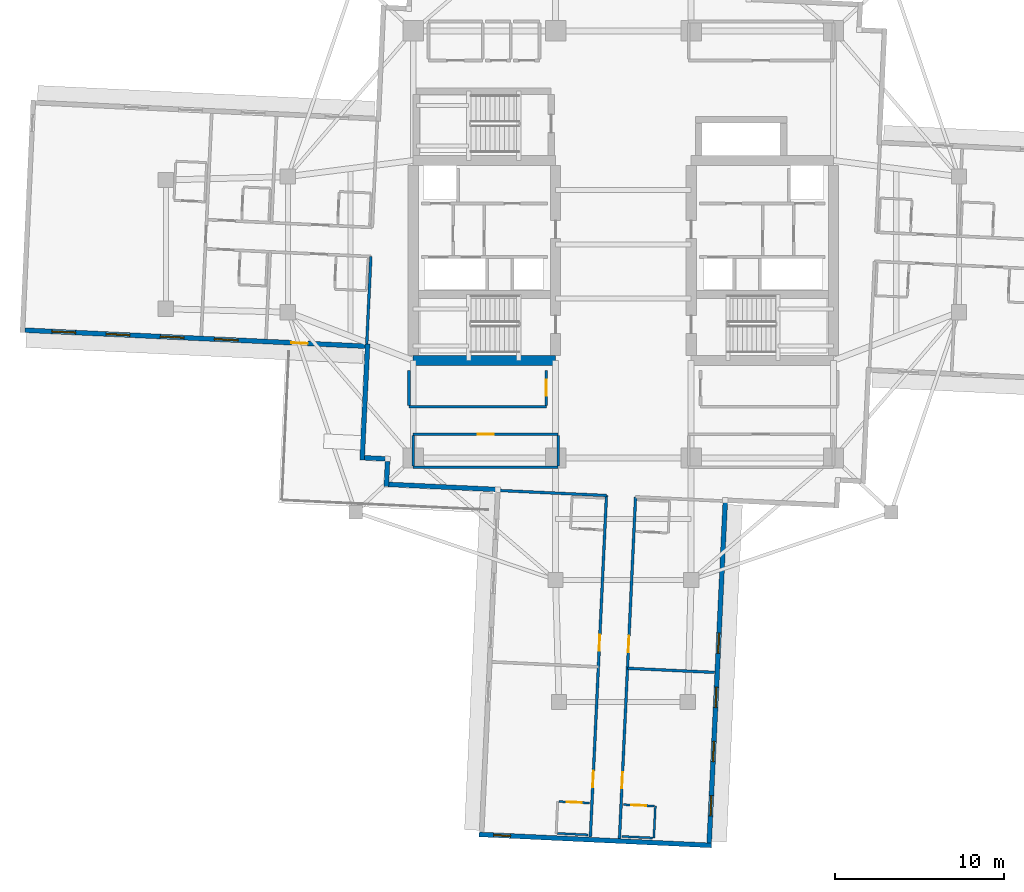
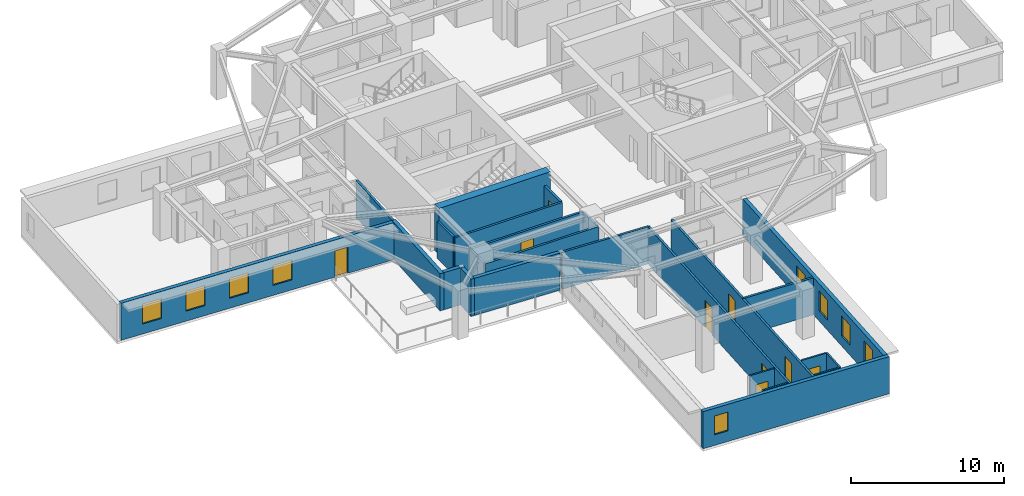
# One storey, part 3 of 14: 25 walls, 9 doors, 9 windows, 18 openings.
"""IFC4 building model written with IfcOpenShell, lengths in metres."""

from ifc_helpers import new_model, si_unit, direction, frame, frame_2d, origin, place, context, subcontext, project, spatial, rectangle, extrude, material, layer, layer_set, type_object, element, fill, save


model = new_model("IFC4")

# Units and contexts
model_context = context("Model", 3, precision=1e-05, world=origin(), true_north=direction((0.0, 1.0)))
body_context = subcontext(model_context, "Body", "Model", "MODEL_VIEW")
ifc_project = project(units=[si_unit("LENGTHUNIT", "METRE"), si_unit("AREAUNIT", "SQUARE_METRE"), si_unit("VOLUMEUNIT", "CUBIC_METRE"), si_unit("PLANEANGLEUNIT", "RADIAN"), si_unit("MASSUNIT", "GRAM", prefix="KILO")], contexts=[model_context])

# Site, building, storey
site_placement = place(None, origin())
site = spatial("IfcSite", under=ifc_project, at=site_placement, CompositionType="ELEMENT")
building_placement = place(site_placement, origin())
building = spatial("IfcBuilding", under=site, at=building_placement, Name="Qingluan Cross Belvedere", CompositionType="ELEMENT")
storey_placement = place(building_placement, frame((0.0, 0.0, 156.60009765625)))
storey = spatial("IfcBuildingStorey", under=building, at=storey_placement, Name="L39", CompositionType="ELEMENT", Elevation=156.60009765625)

# Walls
ifc_material_1 = material(Name="Concrete C60", Category="concrete")
ifc_layer_1 = layer(ifc_material_1, 0.60009765625, Name="CoreShearWall_600")
ifc_layer_set_1 = layer_set([ifc_layer_1], Name="Concrete C60")
wall_type_1 = type_object("IfcWallType", Name="CoreShearWall_600", PredefinedType="SHEAR", material=ifc_layer_set_1)
wall_1_placement = place(storey_placement, frame((-12.39990234375, -6.85009765625, 0.0), z_axis=(0.0, 0.0, 1.0), x_axis=(1.0, 0.0, 0.0)))
element("IfcWall", 1, at=wall_1_placement, inside=storey, type_object=wall_type_1, Name="Split core W shear wall L39-S", PredefinedType="SHEAR", context=body_context, shape_type="SweptSolid", body=[
    extrude(rectangle(XDim=8.39990234375, YDim=0.60009765625, at=frame_2d((4.199951171875, 0.0))), origin(), (0.0, 0.0, 1.0), 3.699951171875),
])
ifc_material_2 = material(Name="Gypsum plasterboard on steel stud acoustic partition", Category="steel")
ifc_layer_2 = layer(ifc_material_2, 0.159912109375, Name="CorridorPartition_160")
ifc_layer_set_2 = layer_set([ifc_layer_2], Name="Gypsum plasterboard on steel stud acoustic partition")
wall_type_2 = type_object("IfcWallType", Name="CorridorPartition_160", PredefinedType="PARTITIONING", material=ifc_layer_set_2)
wall_2_placement = place(storey_placement, frame((-12.39990234375, -13.14990234375, 0.0), z_axis=(0.0, 0.0, 1.0), x_axis=(1.0, 0.0, 0.0)))
element("IfcWall", 2, at=wall_2_placement, inside=storey, type_object=wall_type_2, Name="Partition L39:q_sw:S", PredefinedType="PARTITIONING", context=body_context, shape_type="SweptSolid", body=[
    extrude(rectangle(XDim=8.5498046875, YDim=0.159912109375, at=frame_2d((4.27490234375, 0.0))), origin(), (0.0, 0.0, 1.0), 2.9599609375),
])

# Wall, opening, door
wall_3_placement = place(storey_placement, frame((-12.39990234375, -11.199951171875, 0.0), z_axis=(0.0, 0.0, 1.0), x_axis=(1.0, 0.0, 0.0)))
wall_3 = element("IfcWall", 3, at=wall_3_placement, inside=storey, type_object=wall_type_2, Name="Partition L39:q_sw:N", PredefinedType="PARTITIONING", context=body_context, shape_type="SweptSolid", body=[
    extrude(rectangle(XDim=8.5498046875, YDim=0.159912109375, at=frame_2d((4.27490234375, 0.0))), origin(), (0.0, 0.0, 1.0), 2.9599609375),
])
opening_1_placement = place(wall_3_placement, frame((3.794921875, 0.0, 0.0)))
opening_1 = element("IfcOpeningElement", 4, at=opening_1_placement, cuts=wall_3, Name="Opening GD-10", PredefinedType="OPENING", context=body_context, shape_type="SweptSolid", body=[
    extrude(rectangle(XDim=0.9599609375, YDim=2.14990234375, at=frame_2d((0.47998046875, 1.074951171875))), frame((0.0, 0.08984375, 0.0), z_axis=(0.0, -1.0, 0.0), x_axis=(1.0, 0.0, 0.0)), (0.0, 0.0, 1.0), 0.179931640625),
])
ifc_material_3 = material(Name="Timber oak fire-rated acoustic guestroom door", Category="wood")
door_type_1 = type_object("IfcDoorType", Name="GuestEntryDoor_FD60", OperationType="NOTDEFINED", PredefinedType="DOOR", material=ifc_material_3)
door_1_placement = place(opening_1_placement, origin())
door_1 = element("IfcDoor", 5, at=door_1_placement, inside=storey, type_object=door_type_1, Name="Scholarly study salon L39 door", OperationType="SINGLE_SWING_RIGHT", OverallHeight=2.14990234375, OverallWidth=0.9599609375, PredefinedType="DOOR", context=body_context, shape_type="SweptSolid", body=[
    extrude(rectangle(XDim=0.9599609375, YDim=2.14990234375, at=frame_2d((0.47998046875, 1.074951171875))), frame((0.0, 0.02490234375, 0.0), z_axis=(0.0, -1.0, 0.0), x_axis=(1.0, 0.0, 0.0)), (0.0, 0.0, 1.0), 0.050048828125),
])
fill(opening_1, door_1)

# Walls
for number, where, z_axis, x_axis, name in (
    (6, (-12.39990234375, -13.06494140625, 0.0), (0.0, 0.0, 1.0), (0.0, 1.0, 0.0), "Partition L39:q_sw:W"),
    (7, (-3.85009765625, -13.06494140625, 0.0), (0.0, 0.0, 1.0), (0.0, 1.0, 0.0), "Partition L39:q_sw:E"),
):
    element("IfcWall", number, at=place(storey_placement, frame(where, z_axis=z_axis, x_axis=x_axis)), inside=storey, type_object=wall_type_2, Name=name, PredefinedType="PARTITIONING", context=body_context, shape_type="SweptSolid", body=[
        extrude(rectangle(XDim=1.780029296875, YDim=0.159912109375, at=frame_2d((0.89013671875, 0.0))), origin(), (0.0, 0.0, 1.0), 2.9599609375),
    ])
wall_4_placement = place(storey_placement, frame((-12.64990234375, -9.580078125, 0.0), z_axis=(0.0, 0.0, 1.0), x_axis=(1.0, 0.0, 0.0)))
element("IfcWall", 8, at=wall_4_placement, inside=storey, type_object=wall_type_2, Name="Partition L39:rec_st4_w:S", PredefinedType="PARTITIONING", context=body_context, shape_type="SweptSolid", body=[
    extrude(rectangle(XDim=8.099853515625, YDim=0.159912109375, at=frame_2d((4.0498046875, 0.0))), origin(), (0.0, 0.0, 1.0), 2.9599609375),
])
wall_5_placement = place(storey_placement, frame((-12.64990234375, -9.4951171875, 0.0), z_axis=(0.0, 0.0, 1.0), x_axis=(0.0, 1.0, 0.0)))
element("IfcWall", 9, at=wall_5_placement, inside=storey, type_object=wall_type_2, Name="Partition L39:rec_st4_w:W", PredefinedType="PARTITIONING", context=body_context, shape_type="SweptSolid", body=[
    extrude(rectangle(XDim=2.06005859375, YDim=0.159912109375, at=frame_2d((1.030029296875, 0.0))), origin(), (0.0, 0.0, 1.0), 2.9599609375),
])

# Wall, opening, door
wall_6_placement = place(storey_placement, frame((-4.550048828125, -9.4951171875, 0.0), z_axis=(0.0, 0.0, 1.0), x_axis=(0.0, 1.0, 0.0)))
wall_6 = element("IfcWall", 10, at=wall_6_placement, inside=storey, type_object=wall_type_2, Name="Partition L39:rec_st4_w:E", PredefinedType="PARTITIONING", context=body_context, shape_type="SweptSolid", body=[
    extrude(rectangle(XDim=2.06005859375, YDim=0.159912109375, at=frame_2d((1.030029296875, 0.0))), origin(), (0.0, 0.0, 1.0), 2.9599609375),
])
opening_2_placement = place(wall_6_placement, frame((0.550048828125, 0.0, 0.0)))
opening_2 = element("IfcOpeningElement", 11, at=opening_2_placement, cuts=wall_6, Name="Opening GD-10", PredefinedType="OPENING", context=body_context, shape_type="SweptSolid", body=[
    extrude(rectangle(XDim=0.9599609375, YDim=2.14990234375, at=frame_2d((0.47998046875, 1.074951171875))), frame((0.0, 0.08984375, 0.0), z_axis=(0.0, -1.0, 0.0), x_axis=(1.0, 0.0, 0.0)), (0.0, 0.0, 1.0), 0.179931640625),
])
door_2_placement = place(opening_2_placement, origin())
door_2 = element("IfcDoor", 12, at=door_2_placement, inside=storey, type_object=door_type_1, Name="Southwest club reading room L39 door", OperationType="SINGLE_SWING_LEFT", OverallHeight=2.14990234375, OverallWidth=0.9599609375, PredefinedType="DOOR", context=body_context, shape_type="SweptSolid", body=[
    extrude(rectangle(XDim=0.9599609375, YDim=2.14990234375, at=frame_2d((0.47998046875, 1.074951171875))), frame((0.0, 0.02490234375, 0.0), z_axis=(0.0, -1.0, 0.0), x_axis=(1.0, 0.0, 0.0)), (0.0, 0.0, 1.0), 0.050048828125),
])
fill(opening_2, door_2)

# Wall
wall_7_placement = place(storey_placement, frame((-14.900390625, -0.718994140625, 0.0), z_axis=(0.0, 0.0, 1.0), x_axis=(-0.047103594553, -0.998890009651, 0.0)))
element("IfcWall", 13, at=wall_7_placement, inside=storey, type_object=wall_type_2, Name="Partition L39:W:s1", PredefinedType="PARTITIONING", context=body_context, shape_type="SweptSolid", body=[
    extrude(rectangle(XDim=5.15185546875, YDim=0.159912109375, at=frame_2d((2.575927734375, 0.0))), origin(), (0.0, 0.0, 1.0), 2.9599609375),
])

# Wall, openings, doors
wall_8_placement = place(storey_placement, frame((0.718994140625, -14.900390625, 0.0), z_axis=(0.0, 0.0, 1.0), x_axis=(-0.047105352469, -0.998889926753, 0.0)))
wall_8 = element("IfcWall", 14, at=wall_8_placement, inside=storey, type_object=wall_type_2, Name="Partition L39:S:c0", PredefinedType="PARTITIONING", context=body_context, shape_type="SweptSolid", body=[
    extrude(rectangle(XDim=20.18212890625, YDim=0.159912109375, at=frame_2d((10.091064453125, 0.0))), origin(), (0.0, 0.0, 1.0), 2.9599609375),
])
opening_3_placement = place(wall_8_placement, frame((8.2119140625, 0.0, 0.0)))
opening_3 = element("IfcOpeningElement", 15, at=opening_3_placement, cuts=wall_8, Name="Opening GD-10", PredefinedType="OPENING", context=body_context, shape_type="SweptSolid", body=[
    extrude(rectangle(XDim=0.9599609375, YDim=2.14990234375, at=frame_2d((0.47998046875, 1.074951171875))), frame((0.0, 0.08984375, 0.0), z_axis=(0.0, -1.0, 0.0), x_axis=(1.0, 0.0, 0.0)), (0.0, 0.0, 1.0), 0.179931640625),
])
opening_4_placement = place(wall_8_placement, frame((16.260986328125, 0.0, 0.0)))
opening_4 = element("IfcOpeningElement", 16, at=opening_4_placement, cuts=wall_8, Name="Opening GD-10", PredefinedType="OPENING", context=body_context, shape_type="SweptSolid", body=[
    extrude(rectangle(XDim=0.9599609375, YDim=2.14990234375, at=frame_2d((0.47998046875, 1.074951171875))), frame((0.0, 0.08984375, 0.0), z_axis=(0.0, -1.0, 0.0), x_axis=(1.0, 0.0, 0.0)), (0.0, 0.0, 1.0), 0.179931640625),
])
door_3_placement = place(opening_3_placement, origin())
door_3 = element("IfcDoor", 17, at=door_3_placement, inside=storey, type_object=door_type_1, Name="Guest entry fire door 3917", OperationType="SINGLE_SWING_RIGHT", OverallHeight=2.14990234375, OverallWidth=0.9599609375, PredefinedType="DOOR", context=body_context, shape_type="SweptSolid", body=[
    extrude(rectangle(XDim=0.9599609375, YDim=2.14990234375, at=frame_2d((0.47998046875, 1.074951171875))), frame((0.0, 0.02490234375, 0.0), z_axis=(0.0, -1.0, 0.0), x_axis=(1.0, 0.0, 0.0)), (0.0, 0.0, 1.0), 0.050048828125),
])
fill(opening_3, door_3)
door_4_placement = place(opening_4_placement, origin())
door_4 = element("IfcDoor", 18, at=door_4_placement, inside=storey, type_object=door_type_1, Name="Guest entry fire door 3918", OperationType="SINGLE_SWING_RIGHT", OverallHeight=2.14990234375, OverallWidth=0.9599609375, PredefinedType="DOOR", context=body_context, shape_type="SweptSolid", body=[
    extrude(rectangle(XDim=0.9599609375, YDim=2.14990234375, at=frame_2d((0.47998046875, 1.074951171875))), frame((0.0, 0.02490234375, 0.0), z_axis=(0.0, -1.0, 0.0), x_axis=(1.0, 0.0, 0.0)), (0.0, 0.0, 1.0), 0.050048828125),
])
fill(opening_4, door_4)

# Wall
wall_9_placement = place(storey_placement, frame((0.241943359375, -25.01318359375, 0.0), z_axis=(0.0, 0.0, 1.0), x_axis=(0.998890009651, -0.047103594553, 0.0)))
element("IfcWall", 19, at=wall_9_placement, inside=storey, type_object=wall_type_2, Name="Partition L39:S:d0_0", PredefinedType="PARTITIONING", context=body_context, shape_type="SweptSolid", body=[
    extrude(rectangle(XDim=5.15185546875, YDim=0.159912109375, at=frame_2d((2.575927734375, 0.0))), origin(), (0.0, 0.0, 1.0), 2.9599609375),
])

# Wall, openings, doors
wall_10_placement = place(storey_placement, frame((-0.999267578125, -14.8193359375, 0.0), z_axis=(0.0, 0.0, 1.0), x_axis=(-0.047105352469, -0.998889926753, 0.0)))
wall_10 = element("IfcWall", 20, at=wall_10_placement, inside=storey, type_object=wall_type_2, Name="Partition L39:S:c1", PredefinedType="PARTITIONING", context=body_context, shape_type="SweptSolid", body=[
    extrude(rectangle(XDim=20.18212890625, YDim=0.159912109375, at=frame_2d((10.091064453125, 0.0))), origin(), (0.0, 0.0, 1.0), 2.9599609375),
])
opening_5_placement = place(wall_10_placement, frame((8.2119140625, 0.0, 0.0)))
opening_5 = element("IfcOpeningElement", 21, at=opening_5_placement, cuts=wall_10, Name="Opening GD-10", PredefinedType="OPENING", context=body_context, shape_type="SweptSolid", body=[
    extrude(rectangle(XDim=0.9599609375, YDim=2.14990234375, at=frame_2d((0.47998046875, 1.074951171875))), frame((0.0, 0.08984375, 0.0), z_axis=(0.0, -1.0, 0.0), x_axis=(1.0, 0.0, 0.0)), (0.0, 0.0, 1.0), 0.179931640625),
])
opening_6_placement = place(wall_10_placement, frame((16.260986328125, 0.0, 0.0)))
opening_6 = element("IfcOpeningElement", 22, at=opening_6_placement, cuts=wall_10, Name="Opening GD-10", PredefinedType="OPENING", context=body_context, shape_type="SweptSolid", body=[
    extrude(rectangle(XDim=0.9599609375, YDim=2.14990234375, at=frame_2d((0.47998046875, 1.074951171875))), frame((0.0, 0.08984375, 0.0), z_axis=(0.0, -1.0, 0.0), x_axis=(1.0, 0.0, 0.0)), (0.0, 0.0, 1.0), 0.179931640625),
])
door_5_placement = place(opening_5_placement, origin())
door_5 = element("IfcDoor", 23, at=door_5_placement, inside=storey, type_object=door_type_1, Name="Guest entry fire door 3919", OperationType="SINGLE_SWING_RIGHT", OverallHeight=2.14990234375, OverallWidth=0.9599609375, PredefinedType="DOOR", context=body_context, shape_type="SweptSolid", body=[
    extrude(rectangle(XDim=0.9599609375, YDim=2.14990234375, at=frame_2d((0.47998046875, 1.074951171875))), frame((0.0, 0.02490234375, 0.0), z_axis=(0.0, -1.0, 0.0), x_axis=(1.0, 0.0, 0.0)), (0.0, 0.0, 1.0), 0.050048828125),
])
fill(opening_5, door_5)
door_6_placement = place(opening_6_placement, origin())
door_6 = element("IfcDoor", 24, at=door_6_placement, inside=storey, type_object=door_type_1, Name="Guest entry fire door 3920", OperationType="SINGLE_SWING_RIGHT", OverallHeight=2.14990234375, OverallWidth=0.9599609375, PredefinedType="DOOR", context=body_context, shape_type="SweptSolid", body=[
    extrude(rectangle(XDim=0.9599609375, YDim=2.14990234375, at=frame_2d((0.47998046875, 1.074951171875))), frame((0.0, 0.02490234375, 0.0), z_axis=(0.0, -1.0, 0.0), x_axis=(1.0, 0.0, 0.0)), (0.0, 0.0, 1.0), 0.050048828125),
])
fill(opening_6, door_6)

# Wall
wall_11_placement = place(storey_placement, frame((-0.999267578125, -14.8193359375, 0.0), z_axis=(0.0, 0.0, 1.0), x_axis=(-0.998891163443, 0.047079120583, 0.0)))
element("IfcWall", 25, at=wall_11_placement, inside=storey, type_object=wall_type_2, Name="Partition L39:S:s1", PredefinedType="PARTITIONING", context=body_context, shape_type="SweptSolid", body=[
    extrude(rectangle(XDim=6.419921875, YDim=0.159912109375, at=frame_2d((3.2099609375, 0.0))), origin(), (0.0, 0.0, 1.0), 2.9599609375),
])

# Wall, opening, door
ifc_material_4 = material(Name="Moisture-resistant gypsum board lining")
ifc_layer_3 = layer(ifc_material_4, 0.1201171875, Name="EnsuiteWetPartition_120")
ifc_layer_set_3 = layer_set([ifc_layer_3], Name="Moisture-resistant gypsum board lining")
wall_type_3 = type_object("IfcWallType", Name="EnsuiteWetPartition_120", PredefinedType="PARTITIONING", material=ifc_layer_set_3)
wall_12_placement = place(storey_placement, frame((0.002685546875, -33.056884765625, 0.0), z_axis=(0.0, 0.0, 1.0), x_axis=(0.998891083954, -0.047080807099, 0.0)))
wall_12 = element("IfcWall", 26, at=wall_12_placement, inside=storey, type_object=wall_type_3, Name="Partition L39:S:bs0_1", PredefinedType="PARTITIONING", context=body_context, shape_type="SweptSolid", body=[
    extrude(rectangle(XDim=1.820068359375, YDim=0.1201171875, at=frame_2d((0.91015625, 0.0))), origin(), (0.0, 0.0, 1.0), 2.9599609375),
])
opening_7_placement = place(wall_12_placement, frame((0.469970703125, 0.0, 0.0)))
opening_7 = element("IfcOpeningElement", 27, at=opening_7_placement, cuts=wall_12, Name="Opening BD-09", PredefinedType="OPENING", context=body_context, shape_type="SweptSolid", body=[
    extrude(rectangle(XDim=0.8798828125, YDim=2.10009765625, at=frame_2d((0.43994140625, 1.050048828125))), frame((0.0, 0.070068359375, 0.0), z_axis=(0.0, -1.0, 0.0), x_axis=(1.0, 0.0, 0.0)), (0.0, 0.0, 1.0), 0.14013671875),
])
ifc_material_5 = material(Name="Moisture-sealed timber en-suite door", Category="wood")
door_type_2 = type_object("IfcDoorType", Name="BathroomDoor_880", OperationType="NOTDEFINED", PredefinedType="DOOR", material=ifc_material_5)
door_7_placement = place(opening_7_placement, origin())
door_7 = element("IfcDoor", 28, at=door_7_placement, inside=storey, type_object=door_type_2, Name="Bathroom door 3918", OperationType="SINGLE_SWING_LEFT", OverallHeight=2.10009765625, OverallWidth=0.8798828125, PredefinedType="DOOR", context=body_context, shape_type="SweptSolid", body=[
    extrude(rectangle(XDim=0.8798828125, YDim=2.10009765625, at=frame_2d((0.43994140625, 1.050048828125))), frame((0.0, 0.02490234375, 0.0), z_axis=(0.0, -1.0, 0.0), x_axis=(1.0, 0.0, 0.0)), (0.0, 0.0, 1.0), 0.050048828125),
])
fill(opening_7, door_7)

# Walls
wall_13_placement = place(storey_placement, frame((-0.085693359375, -34.934814453125, 0.0), z_axis=(0.0, 0.0, 1.0), x_axis=(0.998890786574, -0.047087116047, 0.0)))
element("IfcWall", 29, at=wall_13_placement, inside=storey, type_object=wall_type_3, Name="Partition L39:S:bw0_1", PredefinedType="PARTITIONING", context=body_context, shape_type="SweptSolid", body=[
    extrude(rectangle(XDim=1.81982421875, YDim=0.1201171875, at=frame_2d((0.909912109375, 0.0))), origin(), (0.0, 0.0, 1.0), 2.9599609375),
])
wall_14_placement = place(storey_placement, frame((1.8857421875, -33.1455078125, 0.0), z_axis=(0.0, 0.0, 1.0), x_axis=(-0.047139425368, -0.998888319371, 0.0)))
element("IfcWall", 30, at=wall_14_placement, inside=storey, type_object=wall_type_3, Name="Partition L39:S:bn0_1", PredefinedType="PARTITIONING", context=body_context, shape_type="SweptSolid", body=[
    extrude(rectangle(XDim=1.880126953125, YDim=0.1201171875, at=frame_2d((0.93994140625, 0.0))), origin(), (0.0, 0.0, 1.0), 2.9599609375),
])

# Wall, opening, door
wall_15_placement = place(storey_placement, frame((-3.81298828125, -32.876953125, 0.0), z_axis=(0.0, 0.0, 1.0), x_axis=(0.998890786574, -0.047087116047, 0.0)))
wall_15 = element("IfcWall", 31, at=wall_15_placement, inside=storey, type_object=wall_type_3, Name="Partition L39:S:bs1_1", PredefinedType="PARTITIONING", context=body_context, shape_type="SweptSolid", body=[
    extrude(rectangle(XDim=1.81982421875, YDim=0.1201171875, at=frame_2d((0.909912109375, 0.0))), origin(), (0.0, 0.0, 1.0), 2.9599609375),
])
opening_8_placement = place(wall_15_placement, frame((0.469970703125, 0.0, 0.0)))
opening_8 = element("IfcOpeningElement", 32, at=opening_8_placement, cuts=wall_15, Name="Opening BD-09", PredefinedType="OPENING", context=body_context, shape_type="SweptSolid", body=[
    extrude(rectangle(XDim=0.8798828125, YDim=2.10009765625, at=frame_2d((0.43994140625, 1.050048828125))), frame((0.0, 0.070068359375, 0.0), z_axis=(0.0, -1.0, 0.0), x_axis=(1.0, 0.0, 0.0)), (0.0, 0.0, 1.0), 0.14013671875),
])
door_8_placement = place(opening_8_placement, origin())
door_8 = element("IfcDoor", 33, at=door_8_placement, inside=storey, type_object=door_type_2, Name="Bathroom door 3920", OperationType="SINGLE_SWING_LEFT", OverallHeight=2.10009765625, OverallWidth=0.8798828125, PredefinedType="DOOR", context=body_context, shape_type="SweptSolid", body=[
    extrude(rectangle(XDim=0.8798828125, YDim=2.10009765625, at=frame_2d((0.43994140625, 1.050048828125))), frame((0.0, 0.02490234375, 0.0), z_axis=(0.0, -1.0, 0.0), x_axis=(1.0, 0.0, 0.0)), (0.0, 0.0, 1.0), 0.050048828125),
])
fill(opening_8, door_8)

# Wall
wall_16_placement = place(storey_placement, frame((-3.901611328125, -34.7548828125, 0.0), z_axis=(0.0, 0.0, 1.0), x_axis=(0.998891083954, -0.047080807099, 0.0)))
element("IfcWall", 34, at=wall_16_placement, inside=storey, type_object=wall_type_3, Name="Partition L39:S:bw1_1", PredefinedType="PARTITIONING", context=body_context, shape_type="SweptSolid", body=[
    extrude(rectangle(XDim=1.820068359375, YDim=0.1201171875, at=frame_2d((0.91015625, 0.0))), origin(), (0.0, 0.0, 1.0), 2.9599609375),
])

# Wall, openings, windows, door
ifc_material_6 = material(Name="Precast concrete C45", Category="concrete")
ifc_layer_4 = layer(ifc_material_6, 0.280029296875, Name="PrecastFacadeWall_280")
ifc_layer_set_4 = layer_set([ifc_layer_4], Name="Precast concrete C45")
wall_type_4 = type_object("IfcWallType", Name="PrecastFacadeWall_280", PredefinedType="STANDARD", material=ifc_layer_set_4)
wall_17_placement = place(storey_placement, frame((-35.317626953125, -5.06201171875, 0.0), z_axis=(0.0, 0.0, 1.0), x_axis=(0.998890015344, -0.047103473814, 0.0)))
wall_17 = element("IfcWall", 35, at=wall_17_placement, inside=storey, type_object=wall_type_4, Name="Facade wall L39-WB", PredefinedType="STANDARD", context=body_context, shape_type="SweptSolid", body=[
    extrude(rectangle(XDim=20.099853515625, YDim=0.280029296875, at=frame_2d((10.0498046875, 0.0))), origin(), (0.0, 0.0, 1.0), 2.969970703125),
])
opening_9_placement = place(wall_17_placement, frame((1.60009765625, 0.0, 0.800048828125)))
opening_9 = element("IfcOpeningElement", 36, at=opening_9_placement, cuts=wall_17, Name="Opening W-01", PredefinedType="OPENING", context=body_context, shape_type="SweptSolid", body=[
    extrude(rectangle(XDim=1.39990234375, YDim=1.60009765625, at=frame_2d((0.699951171875, 0.800048828125))), frame((0.0, 0.14990234375, 0.0), z_axis=(0.0, -1.0, 0.0), x_axis=(1.0, 0.0, 0.0)), (0.0, 0.0, 1.0), 0.300048828125),
])
opening_10_placement = place(wall_17_placement, frame((4.800048828125, 0.0, 0.800048828125)))
opening_10 = element("IfcOpeningElement", 37, at=opening_10_placement, cuts=wall_17, Name="Opening W-01", PredefinedType="OPENING", context=body_context, shape_type="SweptSolid", body=[
    extrude(rectangle(XDim=1.39990234375, YDim=1.60009765625, at=frame_2d((0.699951171875, 0.800048828125))), frame((0.0, 0.14990234375, 0.0), z_axis=(0.0, -1.0, 0.0), x_axis=(1.0, 0.0, 0.0)), (0.0, 0.0, 1.0), 0.300048828125),
])
opening_11_placement = place(wall_17_placement, frame((8.0, 0.0, 0.800048828125)))
opening_11 = element("IfcOpeningElement", 38, at=opening_11_placement, cuts=wall_17, Name="Opening W-01", PredefinedType="OPENING", context=body_context, shape_type="SweptSolid", body=[
    extrude(rectangle(XDim=1.39990234375, YDim=1.60009765625, at=frame_2d((0.699951171875, 0.800048828125))), frame((0.0, 0.14990234375, 0.0), z_axis=(0.0, -1.0, 0.0), x_axis=(1.0, 0.0, 0.0)), (0.0, 0.0, 1.0), 0.300048828125),
])
opening_12_placement = place(wall_17_placement, frame((11.199951171875, 0.0, 0.800048828125)))
opening_12 = element("IfcOpeningElement", 39, at=opening_12_placement, cuts=wall_17, Name="Opening W-01", PredefinedType="OPENING", context=body_context, shape_type="SweptSolid", body=[
    extrude(rectangle(XDim=1.39990234375, YDim=1.60009765625, at=frame_2d((0.699951171875, 0.800048828125))), frame((0.0, 0.14990234375, 0.0), z_axis=(0.0, -1.0, 0.0), x_axis=(1.0, 0.0, 0.0)), (0.0, 0.0, 1.0), 0.300048828125),
])
opening_13_placement = place(wall_17_placement, frame((15.75, 0.0, 0.0)))
opening_13 = element("IfcOpeningElement", 40, at=opening_13_placement, cuts=wall_17, Name="Opening WD-10", PredefinedType="OPENING", context=body_context, shape_type="SweptSolid", body=[
    extrude(rectangle(XDim=0.9599609375, YDim=2.10009765625, at=frame_2d((0.47998046875, 1.050048828125))), frame((0.0, 0.14990234375, 0.0), z_axis=(0.0, -1.0, 0.0), x_axis=(1.0, 0.0, 0.0)), (0.0, 0.0, 1.0), 0.300048828125),
])
ifc_material_7 = material(Name="Thermally broken triple Low-E glass in aluminium frame", Category="aluminium")
window_type_1 = type_object("IfcWindowType", Name="TriRibbonWin_1400x1600", PartitioningType="SINGLE_PANEL", PredefinedType="WINDOW", material=ifc_material_7)
window_1_placement = place(opening_9_placement, origin())
window_1 = element("IfcWindow", 41, at=window_1_placement, inside=storey, type_object=window_type_1, Name="Ribbon window L39-WB-1", OverallHeight=1.60009765625, OverallWidth=1.39990234375, PartitioningType="SINGLE_PANEL", PredefinedType="WINDOW", context=body_context, shape_type="SweptSolid", body=[
    extrude(rectangle(XDim=1.39990234375, YDim=1.60009765625, at=frame_2d((0.699951171875, 0.800048828125))), frame((0.0, 0.030029296875, 0.0), z_axis=(0.0, -1.0, 0.0), x_axis=(1.0, 0.0, 0.0)), (0.0, 0.0, 1.0), 0.06005859375),
])
fill(opening_9, window_1)
window_2_placement = place(opening_10_placement, origin())
window_2 = element("IfcWindow", 42, at=window_2_placement, inside=storey, type_object=window_type_1, Name="Ribbon window L39-WB-2", OverallHeight=1.60009765625, OverallWidth=1.39990234375, PartitioningType="SINGLE_PANEL", PredefinedType="WINDOW", context=body_context, shape_type="SweptSolid", body=[
    extrude(rectangle(XDim=1.39990234375, YDim=1.60009765625, at=frame_2d((0.699951171875, 0.800048828125))), frame((0.0, 0.030029296875, 0.0), z_axis=(0.0, -1.0, 0.0), x_axis=(1.0, 0.0, 0.0)), (0.0, 0.0, 1.0), 0.06005859375),
])
fill(opening_10, window_2)
window_3_placement = place(opening_11_placement, origin())
window_3 = element("IfcWindow", 43, at=window_3_placement, inside=storey, type_object=window_type_1, Name="Ribbon window L39-WB-3", OverallHeight=1.60009765625, OverallWidth=1.39990234375, PartitioningType="SINGLE_PANEL", PredefinedType="WINDOW", context=body_context, shape_type="SweptSolid", body=[
    extrude(rectangle(XDim=1.39990234375, YDim=1.60009765625, at=frame_2d((0.699951171875, 0.800048828125))), frame((0.0, 0.030029296875, 0.0), z_axis=(0.0, -1.0, 0.0), x_axis=(1.0, 0.0, 0.0)), (0.0, 0.0, 1.0), 0.06005859375),
])
fill(opening_11, window_3)
window_4_placement = place(opening_12_placement, origin())
window_4 = element("IfcWindow", 44, at=window_4_placement, inside=storey, type_object=window_type_1, Name="Ribbon window L39-WB-4", OverallHeight=1.60009765625, OverallWidth=1.39990234375, PartitioningType="SINGLE_PANEL", PredefinedType="WINDOW", context=body_context, shape_type="SweptSolid", body=[
    extrude(rectangle(XDim=1.39990234375, YDim=1.60009765625, at=frame_2d((0.699951171875, 0.800048828125))), frame((0.0, 0.030029296875, 0.0), z_axis=(0.0, -1.0, 0.0), x_axis=(1.0, 0.0, 0.0)), (0.0, 0.0, 1.0), 0.06005859375),
])
fill(opening_12, window_4)
ifc_material_8 = material(Name="Thermally broken aluminium and Low-E glass", Category="aluminium")
door_type_3 = type_object("IfcDoorType", Name="WinterGardenDoor_096", OperationType="NOTDEFINED", PredefinedType="DOOR", material=ifc_material_8)
door_9_placement = place(opening_13_placement, origin())
door_9 = element("IfcDoor", 45, at=door_9_placement, inside=storey, type_object=door_type_3, Name="Outdoor terrace access door L39-spi", OperationType="SINGLE_SWING_RIGHT", OverallHeight=2.10009765625, OverallWidth=0.9599609375, PredefinedType="DOOR", context=body_context, shape_type="SweptSolid", body=[
    extrude(rectangle(XDim=0.9599609375, YDim=2.10009765625, at=frame_2d((0.47998046875, 1.050048828125))), frame((0.0, 0.02490234375, 0.0), z_axis=(0.0, -1.0, 0.0), x_axis=(1.0, 0.0, 0.0)), (0.0, 0.0, 1.0), 0.050048828125),
])
fill(opening_13, door_9)

# Wall, openings, windows
wall_18_placement = place(storey_placement, frame((5.06201171875, -35.317626953125, 0.0), z_axis=(0.0, 0.0, 1.0), x_axis=(0.047103473814, 0.998890015344, 0.0)))
wall_18 = element("IfcWall", 46, at=wall_18_placement, inside=storey, type_object=wall_type_4, Name="Facade wall L39-SB", PredefinedType="STANDARD", context=body_context, shape_type="SweptSolid", body=[
    extrude(rectangle(XDim=20.099853515625, YDim=0.280029296875, at=frame_2d((10.0498046875, 0.0))), origin(), (0.0, 0.0, 1.0), 2.969970703125),
])
opening_14_placement = place(wall_18_placement, frame((1.60009765625, 0.0, 0.800048828125)))
opening_14 = element("IfcOpeningElement", 47, at=opening_14_placement, cuts=wall_18, Name="Opening W-02", PredefinedType="OPENING", context=body_context, shape_type="SweptSolid", body=[
    extrude(rectangle(XDim=1.199951171875, YDim=1.60009765625, at=frame_2d((0.60009765625, 0.800048828125))), frame((0.0, 0.14990234375, 0.0), z_axis=(0.0, -1.0, 0.0), x_axis=(1.0, 0.0, 0.0)), (0.0, 0.0, 1.0), 0.300048828125),
])
opening_15_placement = place(wall_18_placement, frame((4.800048828125, 0.0, 0.800048828125)))
opening_15 = element("IfcOpeningElement", 48, at=opening_15_placement, cuts=wall_18, Name="Opening W-02", PredefinedType="OPENING", context=body_context, shape_type="SweptSolid", body=[
    extrude(rectangle(XDim=1.199951171875, YDim=1.60009765625, at=frame_2d((0.60009765625, 0.800048828125))), frame((0.0, 0.14990234375, 0.0), z_axis=(0.0, -1.0, 0.0), x_axis=(1.0, 0.0, 0.0)), (0.0, 0.0, 1.0), 0.300048828125),
])
opening_16_placement = place(wall_18_placement, frame((8.0, 0.0, 0.800048828125)))
opening_16 = element("IfcOpeningElement", 49, at=opening_16_placement, cuts=wall_18, Name="Opening W-02", PredefinedType="OPENING", context=body_context, shape_type="SweptSolid", body=[
    extrude(rectangle(XDim=1.199951171875, YDim=1.60009765625, at=frame_2d((0.60009765625, 0.800048828125))), frame((0.0, 0.14990234375, 0.0), z_axis=(0.0, -1.0, 0.0), x_axis=(1.0, 0.0, 0.0)), (0.0, 0.0, 1.0), 0.300048828125),
])
opening_17_placement = place(wall_18_placement, frame((11.199951171875, 0.0, 0.800048828125)))
opening_17 = element("IfcOpeningElement", 50, at=opening_17_placement, cuts=wall_18, Name="Opening W-02", PredefinedType="OPENING", context=body_context, shape_type="SweptSolid", body=[
    extrude(rectangle(XDim=1.199951171875, YDim=1.60009765625, at=frame_2d((0.60009765625, 0.800048828125))), frame((0.0, 0.14990234375, 0.0), z_axis=(0.0, -1.0, 0.0), x_axis=(1.0, 0.0, 0.0)), (0.0, 0.0, 1.0), 0.300048828125),
])
ifc_material_9 = material(Name="Thermally broken triple Low-E glass in aluminium frame", Category="aluminium")
window_type_2 = type_object("IfcWindowType", Name="TriRibbonWin_1200x1600", PartitioningType="SINGLE_PANEL", PredefinedType="WINDOW", material=ifc_material_9)
window_5_placement = place(opening_14_placement, origin())
window_5 = element("IfcWindow", 51, at=window_5_placement, inside=storey, type_object=window_type_2, Name="Ribbon window L39-SB-1", OverallHeight=1.60009765625, OverallWidth=1.199951171875, PartitioningType="SINGLE_PANEL", PredefinedType="WINDOW", context=body_context, shape_type="SweptSolid", body=[
    extrude(rectangle(XDim=1.199951171875, YDim=1.60009765625, at=frame_2d((0.60009765625, 0.800048828125))), frame((0.0, 0.030029296875, 0.0), z_axis=(0.0, -1.0, 0.0), x_axis=(1.0, 0.0, 0.0)), (0.0, 0.0, 1.0), 0.06005859375),
])
fill(opening_14, window_5)
window_6_placement = place(opening_15_placement, origin())
window_6 = element("IfcWindow", 52, at=window_6_placement, inside=storey, type_object=window_type_2, Name="Ribbon window L39-SB-2", OverallHeight=1.60009765625, OverallWidth=1.199951171875, PartitioningType="SINGLE_PANEL", PredefinedType="WINDOW", context=body_context, shape_type="SweptSolid", body=[
    extrude(rectangle(XDim=1.199951171875, YDim=1.60009765625, at=frame_2d((0.60009765625, 0.800048828125))), frame((0.0, 0.030029296875, 0.0), z_axis=(0.0, -1.0, 0.0), x_axis=(1.0, 0.0, 0.0)), (0.0, 0.0, 1.0), 0.06005859375),
])
fill(opening_15, window_6)
window_7_placement = place(opening_16_placement, origin())
window_7 = element("IfcWindow", 53, at=window_7_placement, inside=storey, type_object=window_type_2, Name="Ribbon window L39-SB-3", OverallHeight=1.60009765625, OverallWidth=1.199951171875, PartitioningType="SINGLE_PANEL", PredefinedType="WINDOW", context=body_context, shape_type="SweptSolid", body=[
    extrude(rectangle(XDim=1.199951171875, YDim=1.60009765625, at=frame_2d((0.60009765625, 0.800048828125))), frame((0.0, 0.030029296875, 0.0), z_axis=(0.0, -1.0, 0.0), x_axis=(1.0, 0.0, 0.0)), (0.0, 0.0, 1.0), 0.06005859375),
])
fill(opening_16, window_7)
window_8_placement = place(opening_17_placement, origin())
window_8 = element("IfcWindow", 54, at=window_8_placement, inside=storey, type_object=window_type_2, Name="Ribbon window L39-SB-4", OverallHeight=1.60009765625, OverallWidth=1.199951171875, PartitioningType="SINGLE_PANEL", PredefinedType="WINDOW", context=body_context, shape_type="SweptSolid", body=[
    extrude(rectangle(XDim=1.199951171875, YDim=1.60009765625, at=frame_2d((0.60009765625, 0.800048828125))), frame((0.0, 0.030029296875, 0.0), z_axis=(0.0, -1.0, 0.0), x_axis=(1.0, 0.0, 0.0)), (0.0, 0.0, 1.0), 0.06005859375),
])
fill(opening_17, window_8)

# Wall, opening, window
wall_19_placement = place(storey_placement, frame((-8.509521484375, -34.81787109375, 0.0), z_axis=(0.0, 0.0, 1.0), x_axis=(0.998890092147, -0.047101845086, 0.0)))
wall_19 = element("IfcWall", 55, at=wall_19_placement, inside=storey, type_object=wall_type_4, Name="Arm tip precast facade wall L39-S", PredefinedType="STANDARD", context=body_context, shape_type="SweptSolid", body=[
    extrude(rectangle(XDim=13.719970703125, YDim=0.280029296875, at=frame_2d((6.85986328125, 0.0))), origin(), (0.0, 0.0, 1.0), 2.969970703125),
])
opening_18_placement = place(wall_19_placement, frame((0.85009765625, 0.0, 0.85009765625)))
opening_18 = element("IfcOpeningElement", 56, at=opening_18_placement, cuts=wall_19, Name="Opening W-03", PredefinedType="OPENING", context=body_context, shape_type="SweptSolid", body=[
    extrude(rectangle(XDim=1.0, YDim=1.5, at=frame_2d((0.5, 0.75))), frame((0.0, 0.14990234375, 0.0), z_axis=(0.0, -1.0, 0.0), x_axis=(1.0, 0.0, 0.0)), (0.0, 0.0, 1.0), 0.300048828125),
])
ifc_material_10 = material(Name="Thermally broken triple Low-E glass in aluminium frame", Category="aluminium")
window_type_3 = type_object("IfcWindowType", Name="TriApexWin_1000x1500", PartitioningType="SINGLE_PANEL", PredefinedType="WINDOW", material=ifc_material_10)
window_9_placement = place(opening_18_placement, origin())
window_9 = element("IfcWindow", 57, at=window_9_placement, inside=storey, type_object=window_type_3, Name="Arm tip triangular window L39-S", OverallHeight=1.5, OverallWidth=1.0, PartitioningType="SINGLE_PANEL", PredefinedType="WINDOW", context=body_context, shape_type="SweptSolid", body=[
    extrude(rectangle(XDim=1.0, YDim=1.5, at=frame_2d((0.5, 0.75))), frame((0.0, 0.030029296875, 0.0), z_axis=(0.0, -1.0, 0.0), x_axis=(1.0, 0.0, 0.0)), (0.0, 0.0, 1.0), 0.06005859375),
])
fill(opening_18, window_9)

# Walls
wall_20_placement = place(storey_placement, frame((-15.093505859375, -5.87548828125, 0.0), z_axis=(0.0, 0.0, 1.0), x_axis=(-0.04712043756, -0.998889215261, 0.0)))
element("IfcWall", 58, at=wall_20_placement, inside=storey, type_object=wall_type_4, Name="Corner wall L39-SW1", PredefinedType="STANDARD", context=body_context, shape_type="SweptSolid", body=[
    extrude(rectangle(XDim=6.85986328125, YDim=0.280029296875, at=frame_2d((3.429931640625, 0.0))), origin(), (0.0, 0.0, 1.0), 2.969970703125),
])
wall_21_placement = place(storey_placement, frame((-15.270263671875, -12.5947265625, 0.0), z_axis=(0.0, 0.0, 1.0), x_axis=(0.998893795343, -0.047023245574, 0.0)))
element("IfcWall", 59, at=wall_21_placement, inside=storey, type_object=wall_type_4, Name="Corner wall L39-SW2", PredefinedType="STANDARD", context=body_context, shape_type="SweptSolid", body=[
    extrude(rectangle(XDim=1.22021484375, YDim=0.280029296875, at=frame_2d((0.610107421875, 0.0))), origin(), (0.0, 0.0, 1.0), 2.969970703125),
])
wall_22_placement = place(storey_placement, frame((-13.918212890625, -12.798583984375, 0.0), z_axis=(0.0, 0.0, 1.0), x_axis=(-0.047201688113, -0.99888537913, 0.0)))
element("IfcWall", 60, at=wall_22_placement, inside=storey, type_object=wall_type_4, Name="Corner wall L39-SW3", PredefinedType="STANDARD", context=body_context, shape_type="SweptSolid", body=[
    extrude(rectangle(XDim=1.5, YDim=0.280029296875, at=frame_2d((0.75, 0.0))), origin(), (0.0, 0.0, 1.0), 2.969970703125),
])
wall_23_placement = place(storey_placement, frame((-13.842529296875, -14.16357421875, 0.0), z_axis=(0.0, 0.0, 1.0), x_axis=(0.998889082162, -0.047123258997, 0.0)))
element("IfcWall", 61, at=wall_23_placement, inside=storey, type_object=wall_type_4, Name="Corner wall L39-SW4", PredefinedType="STANDARD", context=body_context, shape_type="SweptSolid", body=[
    extrude(rectangle(XDim=6.300048828125, YDim=0.280029296875, at=frame_2d((3.14990234375, 0.0))), origin(), (0.0, 0.0, 1.0), 2.969970703125),
])

save(model, "model.ifc")
